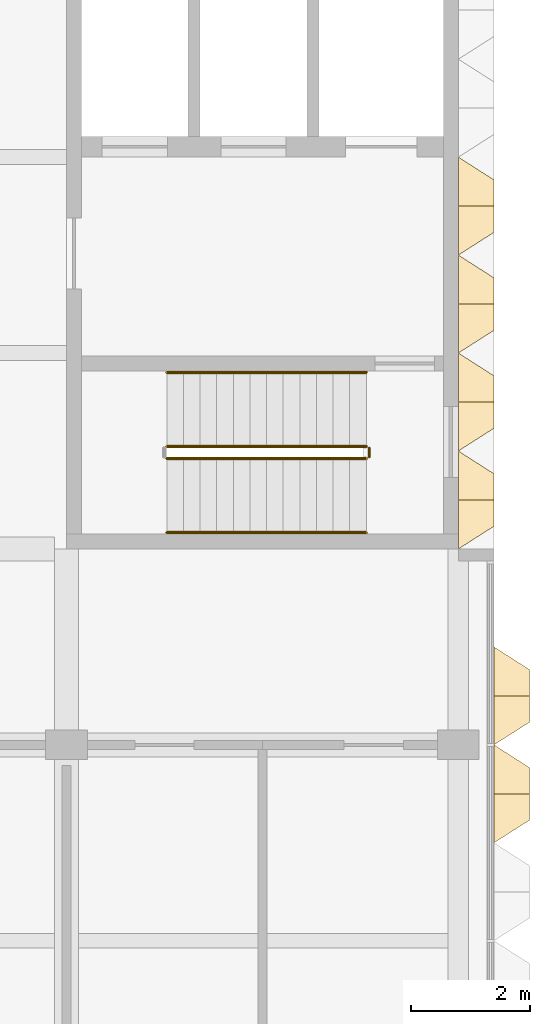
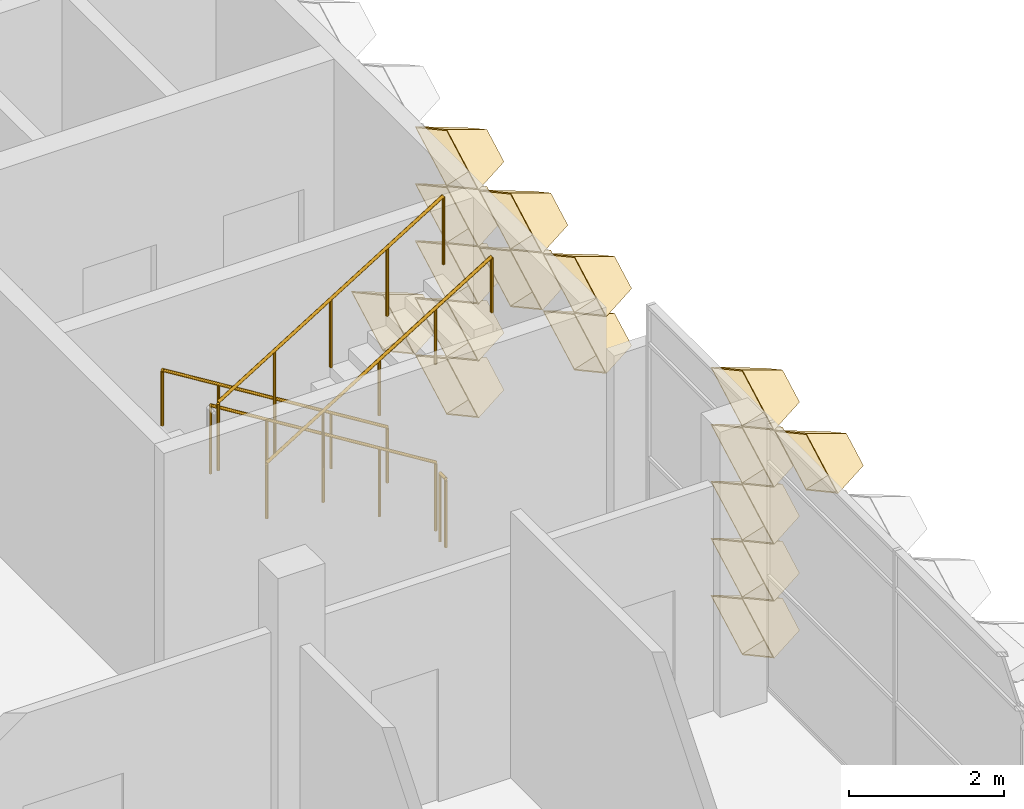
# One storey, part 22 of 28: 16 coverings, 5 railings.
"""IFC4 building model written with IfcOpenShell, lengths in metres."""

from ifc_helpers import new_model, entity, si_unit, direction, frame, origin, origin_2d, place, context, subcontext, project, spatial, circle, extrude, material, layer, layer_set, type_object, element, save


model = new_model("IFC4")

# Units and contexts
model_context = context("Model", 3, precision=1e-05, world=origin(), true_north=direction((0.0, 1.0)))
body_context = subcontext(model_context, "Body", "Model", "MODEL_VIEW")
ifc_project = project(units=[si_unit("LENGTHUNIT", "METRE"), si_unit("AREAUNIT", "SQUARE_METRE"), si_unit("VOLUMEUNIT", "CUBIC_METRE"), si_unit("PLANEANGLEUNIT", "RADIAN"), si_unit("MASSUNIT", "GRAM", prefix="KILO")], contexts=[model_context])

# Site, building, storey
site_placement = place(None, origin())
site = spatial("IfcSite", under=ifc_project, at=site_placement, CompositionType="ELEMENT")
building_placement = place(site_placement, origin())
building = spatial("IfcBuilding", under=site, at=building_placement, Name="Lantern Court Research Institute", CompositionType="ELEMENT")
storey_placement = place(building_placement, frame((0.0, 0.0, 36.89990234375)))
storey = spatial("IfcBuildingStorey", under=building, at=storey_placement, Name="L08", CompositionType="ELEMENT", Elevation=36.89990234375)

# Coverings
ifc_material_1 = material(Name="Anodised aluminium", Category="aluminium")
ifc_layer = layer(ifc_material_1, 0.01611328125)
ifc_layer_set = layer_set([ifc_layer], Name="Anodised aluminium")
covering_type = type_object("IfcCoveringType", Name="Fin cassette 1650 x 900 x 600 aluminium", PredefinedType="CLADDING", material=ifc_layer_set)
covering_1_placement = place(storey_placement, frame((79.199951171875, 17.324951171875, 0.4501953125), z_axis=(1.0, 0.0, 0.0), x_axis=(0.0, 1.0, 0.0)))
cartesian_point_1 = entity("IfcCartesianPoint", [0.824951171875, 0.0])
cartesian_point_2 = entity("IfcCartesianPoint", [0.79150390625, 0.0])
cartesian_point_3 = entity("IfcCartesianPoint", [0.44189453125, 0.0])
cartesian_point_4 = entity("IfcCartesianPoint", [0.43359375, 0.0])
element("IfcCovering", 1, at=covering_1_placement, inside=storey, type_object=covering_type, Name="Fin cassette V5E-L08 1.11", PredefinedType="CLADDING", context=body_context, shape_type="SweptSolid", body=[
    entity("IfcExtrudedAreaSolidTapered", entity("IfcArbitraryProfileDefWithVoids", "AREA", None, entity("IfcPolyline", [cartesian_point_1, entity("IfcCartesianPoint", [0.0, 0.449951171875]), entity("IfcCartesianPoint", [-0.824951171875, 0.0]), entity("IfcCartesianPoint", [0.0, -0.449951171875]), cartesian_point_1]), [entity("IfcPolyline", [cartesian_point_2, entity("IfcCartesianPoint", [0.0, 0.431884765625]), entity("IfcCartesianPoint", [-0.79150390625, 0.0]), entity("IfcCartesianPoint", [0.0, -0.431884765625]), cartesian_point_2])]), entity("IfcAxis2Placement3D", entity("IfcCartesianPoint", [0.0, 0.0, 0.0])), entity("IfcDirection", [0.0, 0.0, 1.0]), 0.60009765625, entity("IfcArbitraryProfileDefWithVoids", "AREA", None, entity("IfcPolyline", [cartesian_point_3, entity("IfcCartesianPoint", [0.0, 0.240966796875]), entity("IfcCartesianPoint", [-0.44189453125, 0.0]), entity("IfcCartesianPoint", [0.0, -0.240966796875]), cartesian_point_3]), [entity("IfcPolyline", [cartesian_point_4, entity("IfcCartesianPoint", [0.0, 0.236572265625]), entity("IfcCartesianPoint", [-0.43359375, 0.0]), entity("IfcCartesianPoint", [0.0, -0.236572265625]), cartesian_point_4])])),
])
covering_2_placement = place(storey_placement, frame((79.199951171875, 18.97509765625, 0.4501953125), z_axis=(1.0, 0.0, 0.0), x_axis=(0.0, 1.0, 0.0)))
cartesian_point_5 = entity("IfcCartesianPoint", [0.824951171875, 0.0])
cartesian_point_6 = entity("IfcCartesianPoint", [0.79150390625, 0.0])
cartesian_point_7 = entity("IfcCartesianPoint", [0.44189453125, 0.0])
cartesian_point_8 = entity("IfcCartesianPoint", [0.43359375, 0.0])
element("IfcCovering", 2, at=covering_2_placement, inside=storey, type_object=covering_type, Name="Fin cassette V5E-L08 1.12", PredefinedType="CLADDING", context=body_context, shape_type="SweptSolid", body=[
    entity("IfcExtrudedAreaSolidTapered", entity("IfcArbitraryProfileDefWithVoids", "AREA", None, entity("IfcPolyline", [cartesian_point_5, entity("IfcCartesianPoint", [0.0, 0.449951171875]), entity("IfcCartesianPoint", [-0.824951171875, 0.0]), entity("IfcCartesianPoint", [0.0, -0.449951171875]), cartesian_point_5]), [entity("IfcPolyline", [cartesian_point_6, entity("IfcCartesianPoint", [0.0, 0.431884765625]), entity("IfcCartesianPoint", [-0.79150390625, 0.0]), entity("IfcCartesianPoint", [0.0, -0.431884765625]), cartesian_point_6])]), entity("IfcAxis2Placement3D", entity("IfcCartesianPoint", [0.0, 0.0, 0.0])), entity("IfcDirection", [0.0, 0.0, 1.0]), 0.60009765625, entity("IfcArbitraryProfileDefWithVoids", "AREA", None, entity("IfcPolyline", [cartesian_point_7, entity("IfcCartesianPoint", [0.0, 0.240966796875]), entity("IfcCartesianPoint", [-0.44189453125, 0.0]), entity("IfcCartesianPoint", [0.0, -0.240966796875]), cartesian_point_7]), [entity("IfcPolyline", [cartesian_point_8, entity("IfcCartesianPoint", [0.0, 0.236572265625]), entity("IfcCartesianPoint", [-0.43359375, 0.0]), entity("IfcCartesianPoint", [0.0, -0.236572265625]), cartesian_point_8])])),
])
covering_3_placement = place(storey_placement, frame((79.199951171875, 17.324951171875, 1.35009765625), z_axis=(1.0, 0.0, 0.0), x_axis=(0.0, 1.0, 0.0)))
cartesian_point_9 = entity("IfcCartesianPoint", [0.824951171875, 0.0])
cartesian_point_10 = entity("IfcCartesianPoint", [0.79150390625, 0.0])
cartesian_point_11 = entity("IfcCartesianPoint", [0.44189453125, 0.0])
cartesian_point_12 = entity("IfcCartesianPoint", [0.43359375, 0.0])
element("IfcCovering", 3, at=covering_3_placement, inside=storey, type_object=covering_type, Name="Fin cassette V5E-L08 2.11", PredefinedType="CLADDING", context=body_context, shape_type="SweptSolid", body=[
    entity("IfcExtrudedAreaSolidTapered", entity("IfcArbitraryProfileDefWithVoids", "AREA", None, entity("IfcPolyline", [cartesian_point_9, entity("IfcCartesianPoint", [0.0, 0.449951171875]), entity("IfcCartesianPoint", [-0.824951171875, 0.0]), entity("IfcCartesianPoint", [0.0, -0.449951171875]), cartesian_point_9]), [entity("IfcPolyline", [cartesian_point_10, entity("IfcCartesianPoint", [0.0, 0.431884765625]), entity("IfcCartesianPoint", [-0.79150390625, 0.0]), entity("IfcCartesianPoint", [0.0, -0.431884765625]), cartesian_point_10])]), entity("IfcAxis2Placement3D", entity("IfcCartesianPoint", [0.0, 0.0, 0.0])), entity("IfcDirection", [0.0, 0.0, 1.0]), 0.60009765625, entity("IfcArbitraryProfileDefWithVoids", "AREA", None, entity("IfcPolyline", [cartesian_point_11, entity("IfcCartesianPoint", [0.0, 0.240966796875]), entity("IfcCartesianPoint", [-0.44189453125, 0.0]), entity("IfcCartesianPoint", [0.0, -0.240966796875]), cartesian_point_11]), [entity("IfcPolyline", [cartesian_point_12, entity("IfcCartesianPoint", [0.0, 0.236572265625]), entity("IfcCartesianPoint", [-0.43359375, 0.0]), entity("IfcCartesianPoint", [0.0, -0.236572265625]), cartesian_point_12])])),
])
covering_4_placement = place(storey_placement, frame((79.199951171875, 17.324951171875, 2.25), z_axis=(1.0, 0.0, 0.0), x_axis=(0.0, 1.0, 0.0)))
cartesian_point_13 = entity("IfcCartesianPoint", [0.824951171875, 0.0])
cartesian_point_14 = entity("IfcCartesianPoint", [0.79150390625, 0.0])
cartesian_point_15 = entity("IfcCartesianPoint", [0.44189453125, 0.0])
cartesian_point_16 = entity("IfcCartesianPoint", [0.43359375, 0.0])
element("IfcCovering", 4, at=covering_4_placement, inside=storey, type_object=covering_type, Name="Fin cassette V5E-L08 3.11", PredefinedType="CLADDING", context=body_context, shape_type="SweptSolid", body=[
    entity("IfcExtrudedAreaSolidTapered", entity("IfcArbitraryProfileDefWithVoids", "AREA", None, entity("IfcPolyline", [cartesian_point_13, entity("IfcCartesianPoint", [0.0, 0.449951171875]), entity("IfcCartesianPoint", [-0.824951171875, 0.0]), entity("IfcCartesianPoint", [0.0, -0.449951171875]), cartesian_point_13]), [entity("IfcPolyline", [cartesian_point_14, entity("IfcCartesianPoint", [0.0, 0.431884765625]), entity("IfcCartesianPoint", [-0.79150390625, 0.0]), entity("IfcCartesianPoint", [0.0, -0.431884765625]), cartesian_point_14])]), entity("IfcAxis2Placement3D", entity("IfcCartesianPoint", [0.0, 0.0, 0.0])), entity("IfcDirection", [0.0, 0.0, 1.0]), 0.60009765625, entity("IfcArbitraryProfileDefWithVoids", "AREA", None, entity("IfcPolyline", [cartesian_point_15, entity("IfcCartesianPoint", [0.0, 0.240966796875]), entity("IfcCartesianPoint", [-0.44189453125, 0.0]), entity("IfcCartesianPoint", [0.0, -0.240966796875]), cartesian_point_15]), [entity("IfcPolyline", [cartesian_point_16, entity("IfcCartesianPoint", [0.0, 0.236572265625]), entity("IfcCartesianPoint", [-0.43359375, 0.0]), entity("IfcCartesianPoint", [0.0, -0.236572265625]), cartesian_point_16])])),
])
covering_5_placement = place(storey_placement, frame((79.199951171875, 14.02490234375, 3.150146484375), z_axis=(1.0, 0.0, 0.0), x_axis=(0.0, 1.0, 0.0)))
cartesian_point_17 = entity("IfcCartesianPoint", [0.824951171875, 0.0])
cartesian_point_18 = entity("IfcCartesianPoint", [0.79150390625, 0.0])
cartesian_point_19 = entity("IfcCartesianPoint", [0.44189453125, 0.0])
cartesian_point_20 = entity("IfcCartesianPoint", [0.43359375, 0.0])
element("IfcCovering", 5, at=covering_5_placement, inside=storey, type_object=covering_type, Name="Fin cassette V5E-L08 4.9", PredefinedType="CLADDING", context=body_context, shape_type="SweptSolid", body=[
    entity("IfcExtrudedAreaSolidTapered", entity("IfcArbitraryProfileDefWithVoids", "AREA", None, entity("IfcPolyline", [cartesian_point_17, entity("IfcCartesianPoint", [0.0, 0.449951171875]), entity("IfcCartesianPoint", [-0.824951171875, 0.0]), entity("IfcCartesianPoint", [0.0, -0.449951171875]), cartesian_point_17]), [entity("IfcPolyline", [cartesian_point_18, entity("IfcCartesianPoint", [0.0, 0.431884765625]), entity("IfcCartesianPoint", [-0.79150390625, 0.0]), entity("IfcCartesianPoint", [0.0, -0.431884765625]), cartesian_point_18])]), entity("IfcAxis2Placement3D", entity("IfcCartesianPoint", [0.0, 0.0, 0.0])), entity("IfcDirection", [0.0, 0.0, 1.0]), 0.60009765625, entity("IfcArbitraryProfileDefWithVoids", "AREA", None, entity("IfcPolyline", [cartesian_point_19, entity("IfcCartesianPoint", [0.0, 0.240966796875]), entity("IfcCartesianPoint", [-0.44189453125, 0.0]), entity("IfcCartesianPoint", [0.0, -0.240966796875]), cartesian_point_19]), [entity("IfcPolyline", [cartesian_point_20, entity("IfcCartesianPoint", [0.0, 0.236572265625]), entity("IfcCartesianPoint", [-0.43359375, 0.0]), entity("IfcCartesianPoint", [0.0, -0.236572265625]), cartesian_point_20])])),
])
covering_6_placement = place(storey_placement, frame((79.199951171875, 15.675048828125, 3.150146484375), z_axis=(1.0, 0.0, 0.0), x_axis=(0.0, 1.0, 0.0)))
cartesian_point_21 = entity("IfcCartesianPoint", [0.824951171875, 0.0])
cartesian_point_22 = entity("IfcCartesianPoint", [0.79150390625, 0.0])
cartesian_point_23 = entity("IfcCartesianPoint", [0.44189453125, 0.0])
cartesian_point_24 = entity("IfcCartesianPoint", [0.43359375, 0.0])
element("IfcCovering", 6, at=covering_6_placement, inside=storey, type_object=covering_type, Name="Fin cassette V5E-L08 4.10", PredefinedType="CLADDING", context=body_context, shape_type="SweptSolid", body=[
    entity("IfcExtrudedAreaSolidTapered", entity("IfcArbitraryProfileDefWithVoids", "AREA", None, entity("IfcPolyline", [cartesian_point_21, entity("IfcCartesianPoint", [0.0, 0.449951171875]), entity("IfcCartesianPoint", [-0.824951171875, 0.0]), entity("IfcCartesianPoint", [0.0, -0.449951171875]), cartesian_point_21]), [entity("IfcPolyline", [cartesian_point_22, entity("IfcCartesianPoint", [0.0, 0.431884765625]), entity("IfcCartesianPoint", [-0.79150390625, 0.0]), entity("IfcCartesianPoint", [0.0, -0.431884765625]), cartesian_point_22])]), entity("IfcAxis2Placement3D", entity("IfcCartesianPoint", [0.0, 0.0, 0.0])), entity("IfcDirection", [0.0, 0.0, 1.0]), 0.60009765625, entity("IfcArbitraryProfileDefWithVoids", "AREA", None, entity("IfcPolyline", [cartesian_point_23, entity("IfcCartesianPoint", [0.0, 0.240966796875]), entity("IfcCartesianPoint", [-0.44189453125, 0.0]), entity("IfcCartesianPoint", [0.0, -0.240966796875]), cartesian_point_23]), [entity("IfcPolyline", [cartesian_point_24, entity("IfcCartesianPoint", [0.0, 0.236572265625]), entity("IfcCartesianPoint", [-0.43359375, 0.0]), entity("IfcCartesianPoint", [0.0, -0.236572265625]), cartesian_point_24])])),
])
covering_7_placement = place(storey_placement, frame((79.199951171875, 17.324951171875, 3.150146484375), z_axis=(1.0, 0.0, 0.0), x_axis=(0.0, 1.0, 0.0)))
cartesian_point_25 = entity("IfcCartesianPoint", [0.824951171875, 0.0])
cartesian_point_26 = entity("IfcCartesianPoint", [0.79150390625, 0.0])
cartesian_point_27 = entity("IfcCartesianPoint", [0.44189453125, 0.0])
cartesian_point_28 = entity("IfcCartesianPoint", [0.43359375, 0.0])
element("IfcCovering", 7, at=covering_7_placement, inside=storey, type_object=covering_type, Name="Fin cassette V5E-L08 4.11", PredefinedType="CLADDING", context=body_context, shape_type="SweptSolid", body=[
    entity("IfcExtrudedAreaSolidTapered", entity("IfcArbitraryProfileDefWithVoids", "AREA", None, entity("IfcPolyline", [cartesian_point_25, entity("IfcCartesianPoint", [0.0, 0.449951171875]), entity("IfcCartesianPoint", [-0.824951171875, 0.0]), entity("IfcCartesianPoint", [0.0, -0.449951171875]), cartesian_point_25]), [entity("IfcPolyline", [cartesian_point_26, entity("IfcCartesianPoint", [0.0, 0.431884765625]), entity("IfcCartesianPoint", [-0.79150390625, 0.0]), entity("IfcCartesianPoint", [0.0, -0.431884765625]), cartesian_point_26])]), entity("IfcAxis2Placement3D", entity("IfcCartesianPoint", [0.0, 0.0, 0.0])), entity("IfcDirection", [0.0, 0.0, 1.0]), 0.60009765625, entity("IfcArbitraryProfileDefWithVoids", "AREA", None, entity("IfcPolyline", [cartesian_point_27, entity("IfcCartesianPoint", [0.0, 0.240966796875]), entity("IfcCartesianPoint", [-0.44189453125, 0.0]), entity("IfcCartesianPoint", [0.0, -0.240966796875]), cartesian_point_27]), [entity("IfcPolyline", [cartesian_point_28, entity("IfcCartesianPoint", [0.0, 0.236572265625]), entity("IfcCartesianPoint", [-0.43359375, 0.0]), entity("IfcCartesianPoint", [0.0, -0.236572265625]), cartesian_point_28])])),
])
covering_8_placement = place(storey_placement, frame((79.199951171875, 14.02490234375, 4.050048828125), z_axis=(1.0, 0.0, 0.0), x_axis=(0.0, 1.0, 0.0)))
cartesian_point_29 = entity("IfcCartesianPoint", [0.824951171875, 0.0])
cartesian_point_30 = entity("IfcCartesianPoint", [0.79150390625, 0.0])
cartesian_point_31 = entity("IfcCartesianPoint", [0.44189453125, 0.0])
cartesian_point_32 = entity("IfcCartesianPoint", [0.43359375, 0.0])
element("IfcCovering", 8, at=covering_8_placement, inside=storey, type_object=covering_type, Name="Fin cassette V5E-L08 5.9", PredefinedType="CLADDING", context=body_context, shape_type="SweptSolid", body=[
    entity("IfcExtrudedAreaSolidTapered", entity("IfcArbitraryProfileDefWithVoids", "AREA", None, entity("IfcPolyline", [cartesian_point_29, entity("IfcCartesianPoint", [0.0, 0.449951171875]), entity("IfcCartesianPoint", [-0.824951171875, 0.0]), entity("IfcCartesianPoint", [0.0, -0.449951171875]), cartesian_point_29]), [entity("IfcPolyline", [cartesian_point_30, entity("IfcCartesianPoint", [0.0, 0.431884765625]), entity("IfcCartesianPoint", [-0.79150390625, 0.0]), entity("IfcCartesianPoint", [0.0, -0.431884765625]), cartesian_point_30])]), entity("IfcAxis2Placement3D", entity("IfcCartesianPoint", [0.0, 0.0, 0.0])), entity("IfcDirection", [0.0, 0.0, 1.0]), 0.60009765625, entity("IfcArbitraryProfileDefWithVoids", "AREA", None, entity("IfcPolyline", [cartesian_point_31, entity("IfcCartesianPoint", [0.0, 0.240966796875]), entity("IfcCartesianPoint", [-0.44189453125, 0.0]), entity("IfcCartesianPoint", [0.0, -0.240966796875]), cartesian_point_31]), [entity("IfcPolyline", [cartesian_point_32, entity("IfcCartesianPoint", [0.0, 0.236572265625]), entity("IfcCartesianPoint", [-0.43359375, 0.0]), entity("IfcCartesianPoint", [0.0, -0.236572265625]), cartesian_point_32])])),
])
covering_9_placement = place(storey_placement, frame((79.199951171875, 15.675048828125, 4.050048828125), z_axis=(1.0, 0.0, 0.0), x_axis=(0.0, 1.0, 0.0)))
cartesian_point_33 = entity("IfcCartesianPoint", [0.824951171875, 0.0])
cartesian_point_34 = entity("IfcCartesianPoint", [0.79150390625, 0.0])
cartesian_point_35 = entity("IfcCartesianPoint", [0.44189453125, 0.0])
cartesian_point_36 = entity("IfcCartesianPoint", [0.43359375, 0.0])
element("IfcCovering", 9, at=covering_9_placement, inside=storey, type_object=covering_type, Name="Fin cassette V5E-L08 5.10", PredefinedType="CLADDING", context=body_context, shape_type="SweptSolid", body=[
    entity("IfcExtrudedAreaSolidTapered", entity("IfcArbitraryProfileDefWithVoids", "AREA", None, entity("IfcPolyline", [cartesian_point_33, entity("IfcCartesianPoint", [0.0, 0.449951171875]), entity("IfcCartesianPoint", [-0.824951171875, 0.0]), entity("IfcCartesianPoint", [0.0, -0.449951171875]), cartesian_point_33]), [entity("IfcPolyline", [cartesian_point_34, entity("IfcCartesianPoint", [0.0, 0.431884765625]), entity("IfcCartesianPoint", [-0.79150390625, 0.0]), entity("IfcCartesianPoint", [0.0, -0.431884765625]), cartesian_point_34])]), entity("IfcAxis2Placement3D", entity("IfcCartesianPoint", [0.0, 0.0, 0.0])), entity("IfcDirection", [0.0, 0.0, 1.0]), 0.60009765625, entity("IfcArbitraryProfileDefWithVoids", "AREA", None, entity("IfcPolyline", [cartesian_point_35, entity("IfcCartesianPoint", [0.0, 0.240966796875]), entity("IfcCartesianPoint", [-0.44189453125, 0.0]), entity("IfcCartesianPoint", [0.0, -0.240966796875]), cartesian_point_35]), [entity("IfcPolyline", [cartesian_point_36, entity("IfcCartesianPoint", [0.0, 0.236572265625]), entity("IfcCartesianPoint", [-0.43359375, 0.0]), entity("IfcCartesianPoint", [0.0, -0.236572265625]), cartesian_point_36])])),
])
covering_10_placement = place(storey_placement, frame((79.199951171875, 17.324951171875, 4.050048828125), z_axis=(1.0, 0.0, 0.0), x_axis=(0.0, 1.0, 0.0)))
cartesian_point_37 = entity("IfcCartesianPoint", [0.824951171875, 0.0])
cartesian_point_38 = entity("IfcCartesianPoint", [0.79150390625, 0.0])
cartesian_point_39 = entity("IfcCartesianPoint", [0.44189453125, 0.0])
cartesian_point_40 = entity("IfcCartesianPoint", [0.43359375, 0.0])
element("IfcCovering", 10, at=covering_10_placement, inside=storey, type_object=covering_type, Name="Fin cassette V5E-L08 5.11", PredefinedType="CLADDING", context=body_context, shape_type="SweptSolid", body=[
    entity("IfcExtrudedAreaSolidTapered", entity("IfcArbitraryProfileDefWithVoids", "AREA", None, entity("IfcPolyline", [cartesian_point_37, entity("IfcCartesianPoint", [0.0, 0.449951171875]), entity("IfcCartesianPoint", [-0.824951171875, 0.0]), entity("IfcCartesianPoint", [0.0, -0.449951171875]), cartesian_point_37]), [entity("IfcPolyline", [cartesian_point_38, entity("IfcCartesianPoint", [0.0, 0.431884765625]), entity("IfcCartesianPoint", [-0.79150390625, 0.0]), entity("IfcCartesianPoint", [0.0, -0.431884765625]), cartesian_point_38])]), entity("IfcAxis2Placement3D", entity("IfcCartesianPoint", [0.0, 0.0, 0.0])), entity("IfcDirection", [0.0, 0.0, 1.0]), 0.60009765625, entity("IfcArbitraryProfileDefWithVoids", "AREA", None, entity("IfcPolyline", [cartesian_point_39, entity("IfcCartesianPoint", [0.0, 0.240966796875]), entity("IfcCartesianPoint", [-0.44189453125, 0.0]), entity("IfcCartesianPoint", [0.0, -0.240966796875]), cartesian_point_39]), [entity("IfcPolyline", [cartesian_point_40, entity("IfcCartesianPoint", [0.0, 0.236572265625]), entity("IfcCartesianPoint", [-0.43359375, 0.0]), entity("IfcCartesianPoint", [0.0, -0.236572265625]), cartesian_point_40])])),
])
covering_11_placement = place(storey_placement, frame((79.800048828125, 10.72509765625, 0.4501953125), z_axis=(1.0, 0.0, 0.0), x_axis=(0.0, 1.0, 0.0)))
cartesian_point_41 = entity("IfcCartesianPoint", [0.824951171875, 0.0])
cartesian_point_42 = entity("IfcCartesianPoint", [0.79150390625, 0.0])
cartesian_point_43 = entity("IfcCartesianPoint", [0.44189453125, 0.0])
cartesian_point_44 = entity("IfcCartesianPoint", [0.43359375, 0.0])
element("IfcCovering", 11, at=covering_11_placement, inside=storey, type_object=covering_type, Name="Fin cassette V5E-L08 1.7", PredefinedType="CLADDING", context=body_context, shape_type="SweptSolid", body=[
    entity("IfcExtrudedAreaSolidTapered", entity("IfcArbitraryProfileDefWithVoids", "AREA", None, entity("IfcPolyline", [cartesian_point_41, entity("IfcCartesianPoint", [0.0, 0.449951171875]), entity("IfcCartesianPoint", [-0.824951171875, 0.0]), entity("IfcCartesianPoint", [0.0, -0.449951171875]), cartesian_point_41]), [entity("IfcPolyline", [cartesian_point_42, entity("IfcCartesianPoint", [0.0, 0.431884765625]), entity("IfcCartesianPoint", [-0.79150390625, 0.0]), entity("IfcCartesianPoint", [0.0, -0.431884765625]), cartesian_point_42])]), entity("IfcAxis2Placement3D", entity("IfcCartesianPoint", [0.0, 0.0, 0.0])), entity("IfcDirection", [0.0, 0.0, 1.0]), 0.60009765625, entity("IfcArbitraryProfileDefWithVoids", "AREA", None, entity("IfcPolyline", [cartesian_point_43, entity("IfcCartesianPoint", [0.0, 0.240966796875]), entity("IfcCartesianPoint", [-0.44189453125, 0.0]), entity("IfcCartesianPoint", [0.0, -0.240966796875]), cartesian_point_43]), [entity("IfcPolyline", [cartesian_point_44, entity("IfcCartesianPoint", [0.0, 0.236572265625]), entity("IfcCartesianPoint", [-0.43359375, 0.0]), entity("IfcCartesianPoint", [0.0, -0.236572265625]), cartesian_point_44])])),
])
covering_12_placement = place(storey_placement, frame((79.800048828125, 10.72509765625, 1.35009765625), z_axis=(1.0, 0.0, 0.0), x_axis=(0.0, 1.0, 0.0)))
cartesian_point_45 = entity("IfcCartesianPoint", [0.824951171875, 0.0])
cartesian_point_46 = entity("IfcCartesianPoint", [0.79150390625, 0.0])
cartesian_point_47 = entity("IfcCartesianPoint", [0.44189453125, 0.0])
cartesian_point_48 = entity("IfcCartesianPoint", [0.43359375, 0.0])
element("IfcCovering", 12, at=covering_12_placement, inside=storey, type_object=covering_type, Name="Fin cassette V5E-L08 2.7", PredefinedType="CLADDING", context=body_context, shape_type="SweptSolid", body=[
    entity("IfcExtrudedAreaSolidTapered", entity("IfcArbitraryProfileDefWithVoids", "AREA", None, entity("IfcPolyline", [cartesian_point_45, entity("IfcCartesianPoint", [0.0, 0.449951171875]), entity("IfcCartesianPoint", [-0.824951171875, 0.0]), entity("IfcCartesianPoint", [0.0, -0.449951171875]), cartesian_point_45]), [entity("IfcPolyline", [cartesian_point_46, entity("IfcCartesianPoint", [0.0, 0.431884765625]), entity("IfcCartesianPoint", [-0.79150390625, 0.0]), entity("IfcCartesianPoint", [0.0, -0.431884765625]), cartesian_point_46])]), entity("IfcAxis2Placement3D", entity("IfcCartesianPoint", [0.0, 0.0, 0.0])), entity("IfcDirection", [0.0, 0.0, 1.0]), 0.60009765625, entity("IfcArbitraryProfileDefWithVoids", "AREA", None, entity("IfcPolyline", [cartesian_point_47, entity("IfcCartesianPoint", [0.0, 0.240966796875]), entity("IfcCartesianPoint", [-0.44189453125, 0.0]), entity("IfcCartesianPoint", [0.0, -0.240966796875]), cartesian_point_47]), [entity("IfcPolyline", [cartesian_point_48, entity("IfcCartesianPoint", [0.0, 0.236572265625]), entity("IfcCartesianPoint", [-0.43359375, 0.0]), entity("IfcCartesianPoint", [0.0, -0.236572265625]), cartesian_point_48])])),
])
covering_13_placement = place(storey_placement, frame((79.800048828125, 10.72509765625, 2.25), z_axis=(1.0, 0.0, 0.0), x_axis=(0.0, 1.0, 0.0)))
cartesian_point_49 = entity("IfcCartesianPoint", [0.824951171875, 0.0])
cartesian_point_50 = entity("IfcCartesianPoint", [0.79150390625, 0.0])
cartesian_point_51 = entity("IfcCartesianPoint", [0.44189453125, 0.0])
cartesian_point_52 = entity("IfcCartesianPoint", [0.43359375, 0.0])
element("IfcCovering", 13, at=covering_13_placement, inside=storey, type_object=covering_type, Name="Fin cassette V5E-L08 3.7", PredefinedType="CLADDING", context=body_context, shape_type="SweptSolid", body=[
    entity("IfcExtrudedAreaSolidTapered", entity("IfcArbitraryProfileDefWithVoids", "AREA", None, entity("IfcPolyline", [cartesian_point_49, entity("IfcCartesianPoint", [0.0, 0.449951171875]), entity("IfcCartesianPoint", [-0.824951171875, 0.0]), entity("IfcCartesianPoint", [0.0, -0.449951171875]), cartesian_point_49]), [entity("IfcPolyline", [cartesian_point_50, entity("IfcCartesianPoint", [0.0, 0.431884765625]), entity("IfcCartesianPoint", [-0.79150390625, 0.0]), entity("IfcCartesianPoint", [0.0, -0.431884765625]), cartesian_point_50])]), entity("IfcAxis2Placement3D", entity("IfcCartesianPoint", [0.0, 0.0, 0.0])), entity("IfcDirection", [0.0, 0.0, 1.0]), 0.60009765625, entity("IfcArbitraryProfileDefWithVoids", "AREA", None, entity("IfcPolyline", [cartesian_point_51, entity("IfcCartesianPoint", [0.0, 0.240966796875]), entity("IfcCartesianPoint", [-0.44189453125, 0.0]), entity("IfcCartesianPoint", [0.0, -0.240966796875]), cartesian_point_51]), [entity("IfcPolyline", [cartesian_point_52, entity("IfcCartesianPoint", [0.0, 0.236572265625]), entity("IfcCartesianPoint", [-0.43359375, 0.0]), entity("IfcCartesianPoint", [0.0, -0.236572265625]), cartesian_point_52])])),
])
covering_14_placement = place(storey_placement, frame((79.800048828125, 10.72509765625, 3.150146484375), z_axis=(1.0, 0.0, 0.0), x_axis=(0.0, 1.0, 0.0)))
cartesian_point_53 = entity("IfcCartesianPoint", [0.824951171875, 0.0])
cartesian_point_54 = entity("IfcCartesianPoint", [0.79150390625, 0.0])
cartesian_point_55 = entity("IfcCartesianPoint", [0.44189453125, 0.0])
cartesian_point_56 = entity("IfcCartesianPoint", [0.43359375, 0.0])
element("IfcCovering", 14, at=covering_14_placement, inside=storey, type_object=covering_type, Name="Fin cassette V5E-L08 4.7", PredefinedType="CLADDING", context=body_context, shape_type="SweptSolid", body=[
    entity("IfcExtrudedAreaSolidTapered", entity("IfcArbitraryProfileDefWithVoids", "AREA", None, entity("IfcPolyline", [cartesian_point_53, entity("IfcCartesianPoint", [0.0, 0.449951171875]), entity("IfcCartesianPoint", [-0.824951171875, 0.0]), entity("IfcCartesianPoint", [0.0, -0.449951171875]), cartesian_point_53]), [entity("IfcPolyline", [cartesian_point_54, entity("IfcCartesianPoint", [0.0, 0.431884765625]), entity("IfcCartesianPoint", [-0.79150390625, 0.0]), entity("IfcCartesianPoint", [0.0, -0.431884765625]), cartesian_point_54])]), entity("IfcAxis2Placement3D", entity("IfcCartesianPoint", [0.0, 0.0, 0.0])), entity("IfcDirection", [0.0, 0.0, 1.0]), 0.60009765625, entity("IfcArbitraryProfileDefWithVoids", "AREA", None, entity("IfcPolyline", [cartesian_point_55, entity("IfcCartesianPoint", [0.0, 0.240966796875]), entity("IfcCartesianPoint", [-0.44189453125, 0.0]), entity("IfcCartesianPoint", [0.0, -0.240966796875]), cartesian_point_55]), [entity("IfcPolyline", [cartesian_point_56, entity("IfcCartesianPoint", [0.0, 0.236572265625]), entity("IfcCartesianPoint", [-0.43359375, 0.0]), entity("IfcCartesianPoint", [0.0, -0.236572265625]), cartesian_point_56])])),
])
covering_15_placement = place(storey_placement, frame((79.800048828125, 9.074951171875, 4.050048828125), z_axis=(1.0, 0.0, 0.0), x_axis=(0.0, 1.0, 0.0)))
cartesian_point_57 = entity("IfcCartesianPoint", [0.824951171875, 0.0])
cartesian_point_58 = entity("IfcCartesianPoint", [0.79150390625, 0.0])
cartesian_point_59 = entity("IfcCartesianPoint", [0.44189453125, 0.0])
cartesian_point_60 = entity("IfcCartesianPoint", [0.43359375, 0.0])
element("IfcCovering", 15, at=covering_15_placement, inside=storey, type_object=covering_type, Name="Fin cassette V5E-L08 5.6", PredefinedType="CLADDING", context=body_context, shape_type="SweptSolid", body=[
    entity("IfcExtrudedAreaSolidTapered", entity("IfcArbitraryProfileDefWithVoids", "AREA", None, entity("IfcPolyline", [cartesian_point_57, entity("IfcCartesianPoint", [0.0, 0.449951171875]), entity("IfcCartesianPoint", [-0.824951171875, 0.0]), entity("IfcCartesianPoint", [0.0, -0.449951171875]), cartesian_point_57]), [entity("IfcPolyline", [cartesian_point_58, entity("IfcCartesianPoint", [0.0, 0.431884765625]), entity("IfcCartesianPoint", [-0.79150390625, 0.0]), entity("IfcCartesianPoint", [0.0, -0.431884765625]), cartesian_point_58])]), entity("IfcAxis2Placement3D", entity("IfcCartesianPoint", [0.0, 0.0, 0.0])), entity("IfcDirection", [0.0, 0.0, 1.0]), 0.60009765625, entity("IfcArbitraryProfileDefWithVoids", "AREA", None, entity("IfcPolyline", [cartesian_point_59, entity("IfcCartesianPoint", [0.0, 0.240966796875]), entity("IfcCartesianPoint", [-0.44189453125, 0.0]), entity("IfcCartesianPoint", [0.0, -0.240966796875]), cartesian_point_59]), [entity("IfcPolyline", [cartesian_point_60, entity("IfcCartesianPoint", [0.0, 0.236572265625]), entity("IfcCartesianPoint", [-0.43359375, 0.0]), entity("IfcCartesianPoint", [0.0, -0.236572265625]), cartesian_point_60])])),
])
covering_16_placement = place(storey_placement, frame((79.800048828125, 10.72509765625, 4.050048828125), z_axis=(1.0, 0.0, 0.0), x_axis=(0.0, 1.0, 0.0)))
cartesian_point_61 = entity("IfcCartesianPoint", [0.824951171875, 0.0])
cartesian_point_62 = entity("IfcCartesianPoint", [0.79150390625, 0.0])
cartesian_point_63 = entity("IfcCartesianPoint", [0.44189453125, 0.0])
cartesian_point_64 = entity("IfcCartesianPoint", [0.43359375, 0.0])
element("IfcCovering", 16, at=covering_16_placement, inside=storey, type_object=covering_type, Name="Fin cassette V5E-L08 5.7", PredefinedType="CLADDING", context=body_context, shape_type="SweptSolid", body=[
    entity("IfcExtrudedAreaSolidTapered", entity("IfcArbitraryProfileDefWithVoids", "AREA", None, entity("IfcPolyline", [cartesian_point_61, entity("IfcCartesianPoint", [0.0, 0.449951171875]), entity("IfcCartesianPoint", [-0.824951171875, 0.0]), entity("IfcCartesianPoint", [0.0, -0.449951171875]), cartesian_point_61]), [entity("IfcPolyline", [cartesian_point_62, entity("IfcCartesianPoint", [0.0, 0.431884765625]), entity("IfcCartesianPoint", [-0.79150390625, 0.0]), entity("IfcCartesianPoint", [0.0, -0.431884765625]), cartesian_point_62])]), entity("IfcAxis2Placement3D", entity("IfcCartesianPoint", [0.0, 0.0, 0.0])), entity("IfcDirection", [0.0, 0.0, 1.0]), 0.60009765625, entity("IfcArbitraryProfileDefWithVoids", "AREA", None, entity("IfcPolyline", [cartesian_point_63, entity("IfcCartesianPoint", [0.0, 0.240966796875]), entity("IfcCartesianPoint", [-0.44189453125, 0.0]), entity("IfcCartesianPoint", [0.0, -0.240966796875]), cartesian_point_63]), [entity("IfcPolyline", [cartesian_point_64, entity("IfcCartesianPoint", [0.0, 0.236572265625]), entity("IfcCartesianPoint", [-0.43359375, 0.0]), entity("IfcCartesianPoint", [0.0, -0.236572265625]), cartesian_point_64])])),
])

# Railings
ifc_material_2 = material(Name="Structural steel S355", Category="steel")
railing_type_1 = type_object("IfcRailingType", Name="Stair guard 1100 steel", PredefinedType="GUARDRAIL", material=ifc_material_2)
railing_1_placement = place(storey_placement, frame((77.64990234375, 14.925048828125, 0.173095703125)))
element("IfcRailing", 17, at=railing_1_placement, inside=storey, type_object=railing_type_1, Name="L08 ST-T2 stair guard 1", PredefinedType="GUARDRAIL", context=body_context, shape_type="SweptSolid", body=[
    extrude(circle(Radius=0.02392578125, at=origin_2d()), frame((0.0, 0.0, 1.076171875), z_axis=(-0.850606129759, 0.0, 0.525803396734), x_axis=(0.0, -1.0, 0.0)), (0.0, 0.0, 1.0), 3.949951171875),
    extrude(circle(Radius=0.02099609375, at=origin_2d()), origin(), (0.0, 0.0, 1.0), 1.052001953125),
    extrude(circle(Radius=0.02099609375, at=origin_2d()), frame((-0.83984375, 0.0, 0.519287109375)), (0.0, 0.0, 1.0), 1.052001953125),
    extrude(circle(Radius=0.02099609375, at=origin_2d()), frame((-1.679931640625, 0.0, 1.03857421875)), (0.0, 0.0, 1.0), 1.052001953125),
    extrude(circle(Radius=0.02099609375, at=origin_2d()), frame((-2.52001953125, 0.0, 1.5576171875)), (0.0, 0.0, 1.0), 1.052001953125),
    extrude(circle(Radius=0.02099609375, at=origin_2d()), frame((-3.35986328125, 0.0, 2.076904296875)), (0.0, 0.0, 1.0), 1.052001953125),
])
railing_2_placement = place(storey_placement, frame((74.2900390625, 14.72509765625, 2.423095703125)))
element("IfcRailing", 18, at=railing_2_placement, inside=storey, type_object=railing_type_1, Name="L08 ST-T2 stair guard 3", PredefinedType="GUARDRAIL", context=body_context, shape_type="SweptSolid", body=[
    extrude(circle(Radius=0.02392578125, at=origin_2d()), frame((0.0, 0.0, 1.076171875), z_axis=(0.850606129759, 0.0, 0.525803396734), x_axis=(0.0, 1.0, 0.0)), (0.0, 0.0, 1.0), 3.949951171875),
    extrude(circle(Radius=0.02099609375, at=origin_2d()), origin(), (0.0, 0.0, 1.0), 1.052001953125),
    extrude(circle(Radius=0.02099609375, at=origin_2d()), frame((0.83984375, 0.0, 0.519287109375)), (0.0, 0.0, 1.0), 1.052001953125),
    extrude(circle(Radius=0.02099609375, at=origin_2d()), frame((1.679931640625, 0.0, 1.03857421875)), (0.0, 0.0, 1.0), 1.052001953125),
    extrude(circle(Radius=0.02099609375, at=origin_2d()), frame((2.52001953125, 0.0, 1.5576171875)), (0.0, 0.0, 1.0), 1.052001953125),
    extrude(circle(Radius=0.02099609375, at=origin_2d()), frame((3.35986328125, 0.0, 2.076904296875)), (0.0, 0.0, 1.0), 1.052001953125),
])
railing_3_placement = place(storey_placement, frame((77.699951171875, 14.89990234375, 0.0)))
element("IfcRailing", 19, at=railing_3_placement, inside=storey, type_object=railing_type_1, Name="L08 ST-T2 stair guard 4", PredefinedType="GUARDRAIL", context=body_context, shape_type="SweptSolid", body=[
    extrude(circle(Radius=0.02392578125, at=origin_2d()), frame((0.0, 0.0, 1.076171875), z_axis=(0.0, -1.0, 0.0), x_axis=(1.0, 0.0, 0.0)), (0.0, 0.0, 1.0), 0.14990234375),
    extrude(circle(Radius=0.02099609375, at=origin_2d()), origin(), (0.0, 0.0, 1.0), 1.052001953125),
    extrude(circle(Radius=0.02099609375, at=origin_2d()), frame((0.0, -0.14990234375, 0.0)), (0.0, 0.0, 1.0), 1.052001953125),
])
ifc_material_3 = material(Name="Stainless steel 316", Category="steel")
railing_type_2 = type_object("IfcRailingType", Name="Stair handrail 900 steel", PredefinedType="HANDRAIL", material=ifc_material_3)
railing_4_placement = place(storey_placement, frame((77.64990234375, 16.175048828125, 0.173095703125)))
element("IfcRailing", 20, at=railing_4_placement, inside=storey, type_object=railing_type_2, Name="L08 ST-T2 stair handrail 1", PredefinedType="HANDRAIL", context=body_context, shape_type="SweptSolid", body=[
    extrude(circle(Radius=0.02392578125, at=origin_2d()), frame((0.0, 0.0, 0.8759765625), z_axis=(-0.850606129759, 0.0, 0.525803396734), x_axis=(0.0, -1.0, 0.0)), (0.0, 0.0, 1.0), 3.949951171875),
    extrude(circle(Radius=0.02099609375, at=origin_2d()), origin(), (0.0, 0.0, 1.0), 0.851806640625),
    extrude(circle(Radius=0.02099609375, at=origin_2d()), frame((-0.83984375, 0.0, 0.519287109375)), (0.0, 0.0, 1.0), 0.851806640625),
    extrude(circle(Radius=0.02099609375, at=origin_2d()), frame((-1.679931640625, 0.0, 1.03857421875)), (0.0, 0.0, 1.0), 0.851806640625),
    extrude(circle(Radius=0.02099609375, at=origin_2d()), frame((-2.52001953125, 0.0, 1.5576171875)), (0.0, 0.0, 1.0), 0.851806640625),
    extrude(circle(Radius=0.02099609375, at=origin_2d()), frame((-3.35986328125, 0.0, 2.076904296875)), (0.0, 0.0, 1.0), 0.851806640625),
])
railing_5_placement = place(storey_placement, frame((74.2900390625, 13.47509765625, 2.423095703125)))
element("IfcRailing", 21, at=railing_5_placement, inside=storey, type_object=railing_type_2, Name="L08 ST-T2 stair handrail 2", PredefinedType="HANDRAIL", context=body_context, shape_type="SweptSolid", body=[
    extrude(circle(Radius=0.02392578125, at=origin_2d()), frame((0.0, 0.0, 0.8759765625), z_axis=(0.850606129759, 0.0, 0.525803396734), x_axis=(0.0, 1.0, 0.0)), (0.0, 0.0, 1.0), 3.949951171875),
    extrude(circle(Radius=0.02099609375, at=origin_2d()), origin(), (0.0, 0.0, 1.0), 0.851806640625),
    extrude(circle(Radius=0.02099609375, at=origin_2d()), frame((0.83984375, 0.0, 0.519287109375)), (0.0, 0.0, 1.0), 0.851806640625),
    extrude(circle(Radius=0.02099609375, at=origin_2d()), frame((1.679931640625, 0.0, 1.03857421875)), (0.0, 0.0, 1.0), 0.851806640625),
    extrude(circle(Radius=0.02099609375, at=origin_2d()), frame((2.52001953125, 0.0, 1.5576171875)), (0.0, 0.0, 1.0), 0.851806640625),
    extrude(circle(Radius=0.02099609375, at=origin_2d()), frame((3.35986328125, 0.0, 2.076904296875)), (0.0, 0.0, 1.0), 0.851806640625),
])

save(model, "model.ifc")
